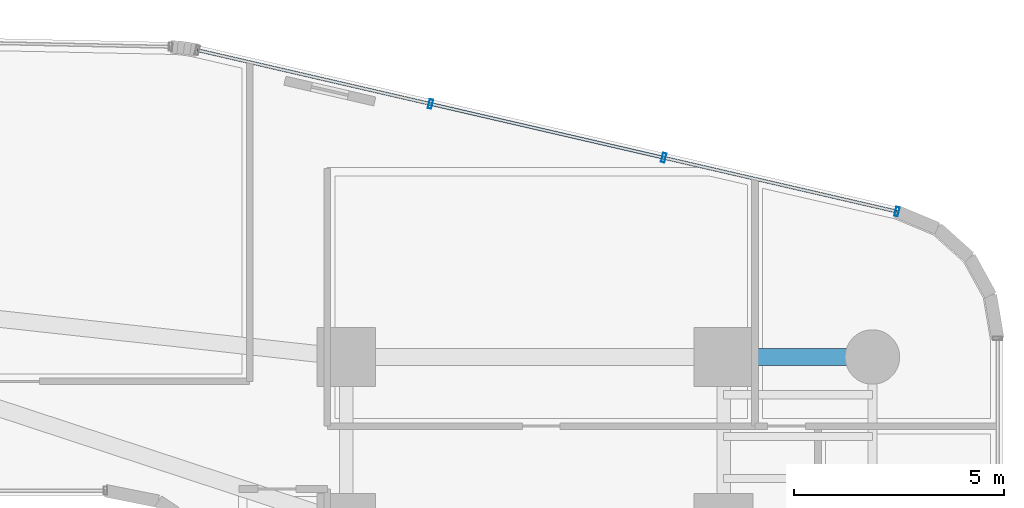
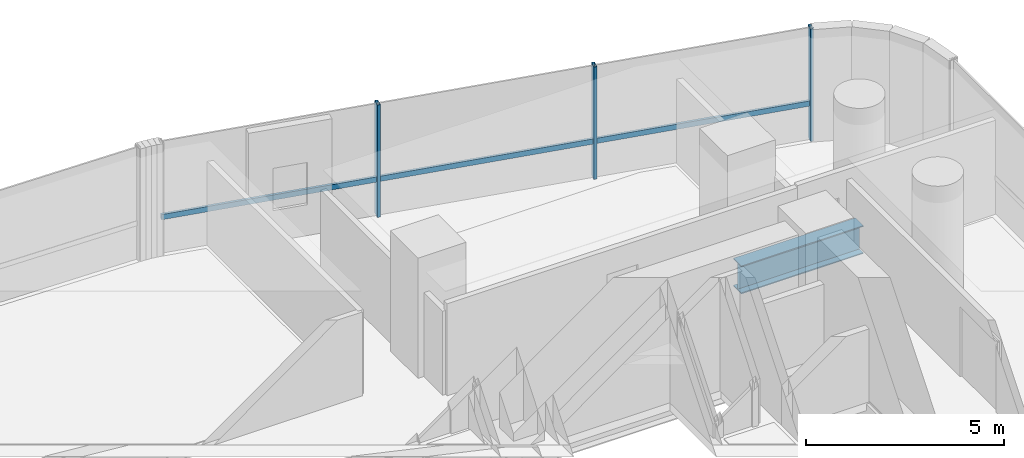
# One storey, part 25 of 40: 4 members, 1 beam, 1 element without a shape of its own.
"""IFC4 building model written with IfcOpenShell, lengths in metres."""

from ifc_helpers import new_model, si_unit, direction, frame, origin, origin_2d, place, context, subcontext, project, spatial, hollow_rectangle, i_section, extrude, source, transform, mapped, material, material_profile, profile_set, type_object, element, aggregate, save


model = new_model("IFC4")

# Units and contexts
model_context = context("Model", 3, precision=1e-05, world=origin(), true_north=direction((0.0, 1.0)))
body_context = subcontext(model_context, "Body", "Model", "MODEL_VIEW")
ifc_project = project(units=[si_unit("LENGTHUNIT", "METRE"), si_unit("AREAUNIT", "SQUARE_METRE"), si_unit("VOLUMEUNIT", "CUBIC_METRE"), si_unit("PLANEANGLEUNIT", "RADIAN"), si_unit("MASSUNIT", "GRAM", prefix="KILO")], contexts=[model_context])

# Site, building, storey
site_placement = place(None, origin())
site = spatial("IfcSite", under=ifc_project, at=site_placement, CompositionType="ELEMENT")
building_placement = place(site_placement, origin())
building = spatial("IfcBuilding", under=site, at=building_placement, Name="Valdorenza Pilgrim Sanctuary Tower", CompositionType="ELEMENT")
storey_placement = place(building_placement, frame((0.0, 0.0, 48.199951171875)))
storey = spatial("IfcBuildingStorey", under=building, at=storey_placement, Name="L11", CompositionType="ELEMENT", Elevation=48.199951171875)

# Beam
ifc_material_1 = material(Name="Steel ASTM A992 Grade 50", Category="steel")
ifc_material_profile_1 = material_profile(ifc_material_1, i_section(OverallWidth=0.39990234375, OverallDepth=0.862060546875, WebThickness=0.019775390625, FlangeThickness=0.032470703125, at=origin_2d()), Name="W33X221")
ifc_profile_set_1 = profile_set([ifc_material_profile_1], Name="Steel ASTM A992 Grade 50")
beam_type = type_object("IfcBeamType", Name="STR-BM-GRD-W33", PredefinedType="BEAM", material=ifc_profile_set_1)
shared_shape_1 = source(origin(), body_context, "Body", "SweptSolid", [
    extrude(i_section(OverallWidth=0.39990234375, OverallDepth=0.862060546875, WebThickness=0.019775390625, FlangeThickness=0.032470703125, at=origin_2d()), origin(), (0.0, 0.0, 1.0), 3.5498046875),
])
beam_placement = place(storey_placement, frame((24.85009765625, 13.5, -0.6708984375), z_axis=(1.0, 0.0, 0.0), x_axis=(0.0, 1.0, 0.0)))
element("IfcBeam", 1, at=beam_placement, inside=storey, type_object=beam_type, Name="L11 Floor Girder WB-XE-N2", PredefinedType="BEAM", context=body_context, shape_type="MappedRepresentation", body=[
    mapped(shared_shape_1, transform((0.0, 0.0, 0.0), x_axis=(1.0, 0.0, 0.0), y_axis=(0.0, 1.0, 0.0), z_axis=(0.0, 0.0, 1.0), scale=1.0)),
])

# Curtain wall, members
ifc_material_2 = material(Name="Curtain-wall IGU glazing", Category="glass")
curtain_wall_type = type_object("IfcCurtainWallType", Name="CW-SYS-03", PredefinedType="NOTDEFINED", material=ifc_material_2)
curtain_wall_placement = place(storey_placement, origin())
curtain_wall = element("IfcCurtainWall", 2, at=curtain_wall_placement, inside=storey, type_object=curtain_wall_type, Name="L11 Curtain Wall CW-L11-1-16", PredefinedType="NOTDEFINED")
ifc_material_3 = material(Name="Anodised aluminium AW-6060", Category="aluminium")
ifc_material_profile_2 = material_profile(ifc_material_3, hollow_rectangle(XDim=0.0849609375, YDim=0.219970703125, WallThickness=0.0048828125, at=origin_2d()), Name="ALU-M 220x85x5")
ifc_profile_set_2 = profile_set([ifc_material_profile_2], Name="Anodised aluminium AW-6060")
member_type_1 = type_object("IfcMemberType", Name="CW-MUL-03", PredefinedType="MULLION", material=ifc_profile_set_2)
shared_shape_2 = source(origin(), body_context, "Body", "SweptSolid", [
    extrude(hollow_rectangle(XDim=0.0849609375, YDim=0.219970703125, WallThickness=0.0048828125, at=origin_2d()), origin(), (0.0, 0.0, 1.0), 3.4599609375),
])
member_1_placement = place(storey_placement, frame((17.861328125, 19.534423828125, 0.0), z_axis=(0.0, 0.0, 1.0), x_axis=(0.974389691758, -0.224866023659, 0.0)))
member_1 = element("IfcMember", 3, at=member_1_placement, type_object=member_type_1, Name="CW-L11-1-16 Mullion 2", PredefinedType="MULLION", context=body_context, shape_type="MappedRepresentation", body=[
    mapped(shared_shape_2, transform((0.0, 0.0, 0.0), x_axis=(1.0, 0.0, 0.0), y_axis=(0.0, 1.0, 0.0), z_axis=(0.0, 0.0, 1.0), scale=1.0)),
])
member_2_placement = place(storey_placement, frame((23.423583984375, 18.2509765625, 0.0), z_axis=(0.0, 0.0, 1.0), x_axis=(0.974389691758, -0.224866023659, 0.0)))
member_2 = element("IfcMember", 4, at=member_2_placement, type_object=member_type_1, Name="CW-L11-1-16 Mullion 3", PredefinedType="MULLION", context=body_context, shape_type="MappedRepresentation", body=[
    mapped(shared_shape_2, transform((0.0, 0.0, 0.0), x_axis=(1.0, 0.0, 0.0), y_axis=(0.0, 1.0, 0.0), z_axis=(0.0, 0.0, 1.0), scale=1.0)),
])
member_3_placement = place(storey_placement, frame((28.98583984375, 16.96728515625, 0.0), z_axis=(0.0, 0.0, 1.0), x_axis=(0.974389691758, -0.224866023659, 0.0)))
member_3 = element("IfcMember", 5, at=member_3_placement, type_object=member_type_1, Name="CW-L11-1-16 Mullion 4", PredefinedType="MULLION", context=body_context, shape_type="MappedRepresentation", body=[
    mapped(shared_shape_2, transform((0.0, 0.0, 0.0), x_axis=(1.0, 0.0, 0.0), y_axis=(0.0, 1.0, 0.0), z_axis=(0.0, 0.0, 1.0), scale=1.0)),
])
ifc_material_profile_3 = material_profile(ifc_material_3, hollow_rectangle(XDim=0.074951171875, YDim=0.159912109375, WallThickness=0.00390625, at=origin_2d()), Name="ALU-T 160x75x4")
ifc_profile_set_3 = profile_set([ifc_material_profile_3], Name="Anodised aluminium AW-6060")
member_type_2 = type_object("IfcMemberType", Name="CW-TRN-03", PredefinedType="USERDEFINED", material=ifc_profile_set_3)
shared_shape_3 = source(origin(), body_context, "Body", "SweptSolid", [
    extrude(hollow_rectangle(XDim=0.074951171875, YDim=0.159912109375, WallThickness=0.00390625, at=origin_2d()), origin(), (0.0, 0.0, 1.0), 17.125244140625),
])
member_4_placement = place(storey_placement, frame((12.299072265625, 20.818115234375, 1.1201171875), z_axis=(0.974390715149, -0.224861589051, 0.0), x_axis=(0.224861589051, 0.974390715149, 0.0)))
member_4 = element("IfcMember", 6, at=member_4_placement, type_object=member_type_2, Name="CW-L11-1-16 Transom 1", ObjectType="TRANSOM", PredefinedType="USERDEFINED", context=body_context, shape_type="MappedRepresentation", body=[
    mapped(shared_shape_3, transform((0.0, 0.0, 0.0), x_axis=(1.0, 0.0, 0.0), y_axis=(0.0, 1.0, 0.0), z_axis=(0.0, 0.0, 1.0), scale=1.0)),
])
aggregate(curtain_wall, [member_1, member_2, member_3, member_4])

save(model, "model.ifc")
